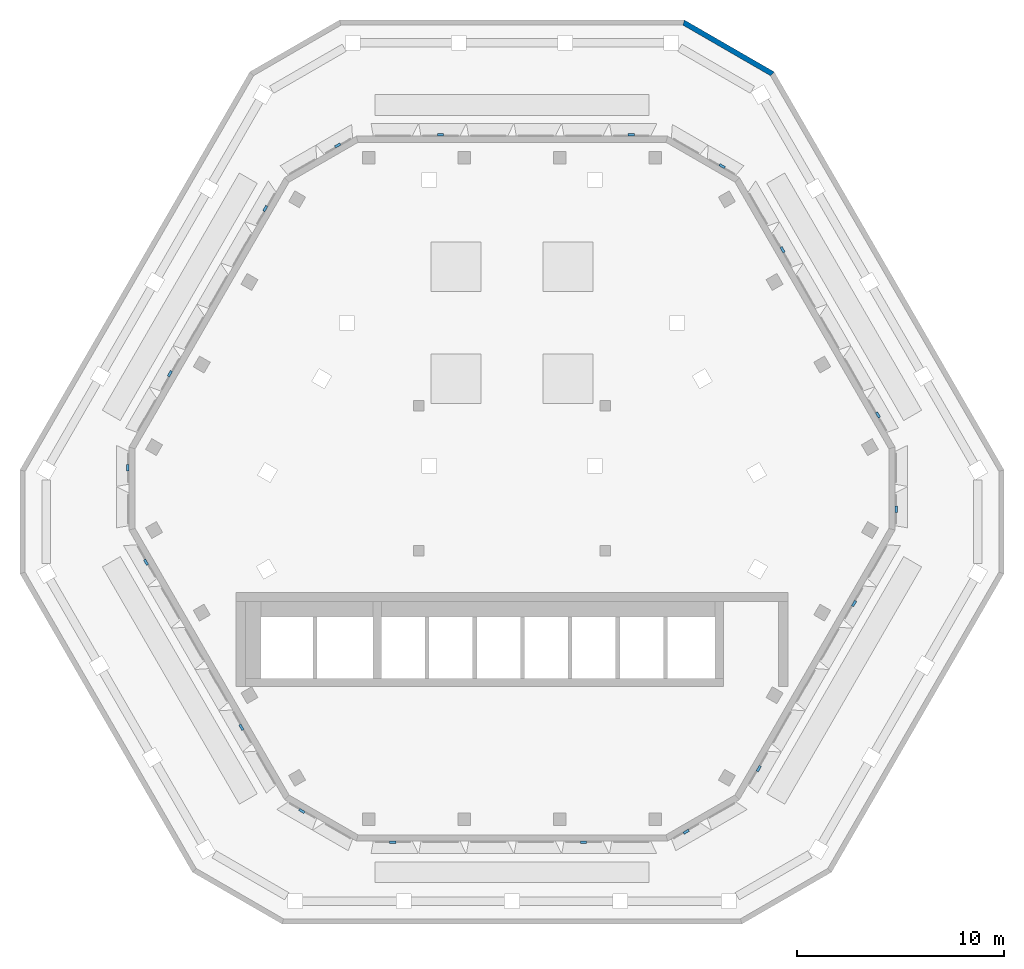
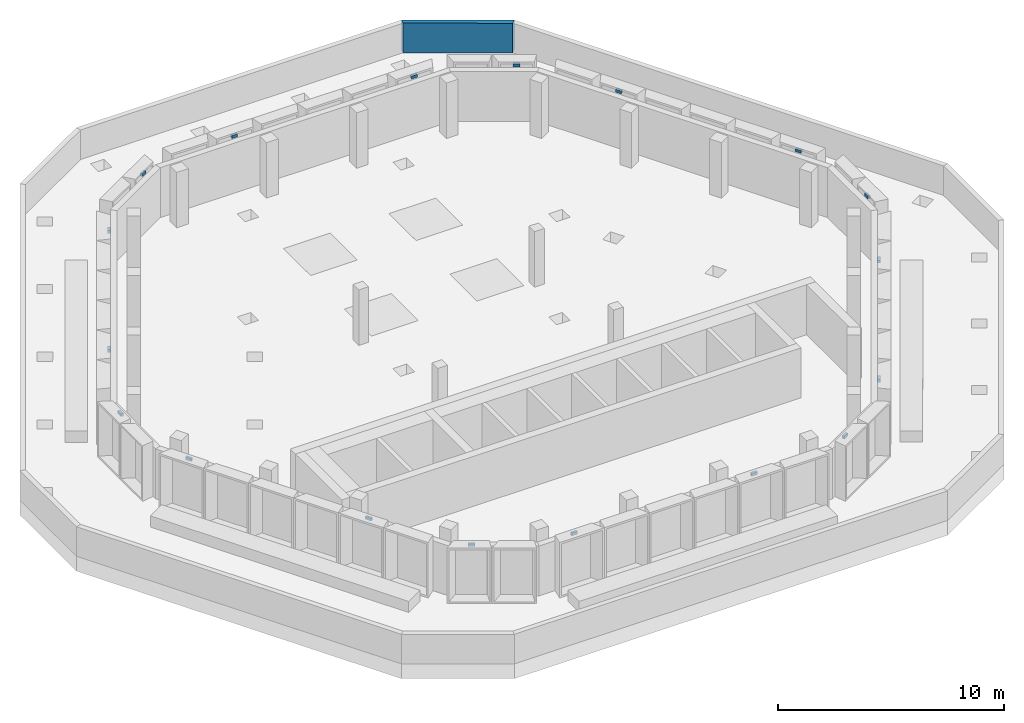
# One storey, part 3 of 5: 18 discrete accessories, 1 wall.
"""IFC4 building model written with IfcOpenShell, lengths in metres."""

from ifc_helpers import new_model, si_unit, direction, frame, origin, place, context, subcontext, project, spatial, polyline, outline, extrude, source, transform, mapped, material, layer, layer_set, type_object, type_shapes, element, save


model = new_model("IFC4")

# Units and contexts
model_context = context("Model", 3, precision=1e-05, world=origin(), true_north=direction((0.0, 1.0)))
body_context = subcontext(model_context, "Body", "Model", "MODEL_VIEW")
ifc_project = project(units=[si_unit("LENGTHUNIT", "METRE"), si_unit("AREAUNIT", "SQUARE_METRE"), si_unit("VOLUMEUNIT", "CUBIC_METRE"), si_unit("PLANEANGLEUNIT", "RADIAN"), si_unit("MASSUNIT", "GRAM", prefix="KILO")], contexts=[model_context])

# Site, building, storey
site_placement = place(None, origin())
site = spatial("IfcSite", under=ifc_project, at=site_placement, CompositionType="ELEMENT")
building_placement = place(site_placement, origin())
building = spatial("IfcBuilding", under=site, at=building_placement, Name="Beryl Residences", CompositionType="ELEMENT")
storey_placement = place(building_placement, frame((0.0, 0.0, 244.800048828125)))
storey = spatial("IfcBuildingStorey", under=building, at=storey_placement, Name="L76", CompositionType="ELEMENT", Elevation=244.800048828125)

# Wall
ifc_material_1 = material(Name="Precast concrete C40/50", Category="concrete")
ifc_layer = layer(ifc_material_1, 0.25)
ifc_layer_set = layer_set([ifc_layer], Name="PA1 roof parapet 250 mm")
wall_type = type_object("IfcWallType", Name="PA1 roof parapet 250 mm", PredefinedType="PARAPET", material=ifc_layer_set)
wall_placement = place(storey_placement, frame((8.251953125, 22.491943359375, 0.0), z_axis=(0.0, 0.0, 1.0), x_axis=(0.865889515344, -0.500235291855, 0.0)))
element("IfcWall", 1, at=wall_placement, inside=storey, type_object=wall_type, Name="PA1 parapet L76 strip 1", PredefinedType="PARAPET", context=body_context, shape_type="SweptSolid", body=[
    extrude(outline(polyline([(0.06689453125, -0.125), (4.9326171875, -0.125), (4.99951171875, 0.125), (0.0, 0.125), (0.06689453125, -0.125)])), origin(), (0.0, 0.0, 1.0), 1.599853515625),
])

# Discrete accessories
ifc_material_2 = material(Name="Steel S355", Category="steel")
discrete_accessory_type = type_object("IfcDiscreteAccessoryType", Name="BR1 frame bracket 300 x 120 x 150 mm", PredefinedType="BRACKET", material=ifc_material_2)
shared_shape = source(origin(), body_context, "Body", "SweptSolid", [
    extrude(outline(polyline([(-0.14990234375, 0.0), (0.14990234375, 0.0), (0.14990234375, 0.1201171875), (-0.14990234375, 0.1201171875), (-0.14990234375, 0.0)])), origin(), (0.0, 0.0, 1.0), 0.14990234375),
])
type_shapes(discrete_accessory_type, [shared_shape])
for number, where, z_axis, x_axis, name in (
    (2, (5.75, 17.0, 2.75), (0.0, 0.0, 1.0), (1.0, 0.0, 0.0), "BR1 bracket L76 N 1"),
    (3, (-3.449951171875, 17.0, 2.75), (0.0, 0.0, 1.0), (1.0, 0.0, 0.0), "BR1 bracket L76 N 5"),
    (4, (-8.3720703125, 16.5, 2.75), (0.0, 0.0, 1.0), (0.866025403784, 0.5, 0.0), "BR1 bracket L76 N-NW 1"),
    (5, (-11.847900390625, 13.47900390625, 2.75), (0.0, 0.0, 1.0), (0.5, 0.866025403784, 0.0), "BR1 bracket L76 NW 1"),
    (6, (-16.447021484375, 5.512939453125, 2.75), (0.0, 0.0, 1.0), (0.5, 0.866025403784, 0.0), "BR1 bracket L76 NW 5"),
    (7, (-18.47509765625, 1.0, 2.75), (0.0, 0.0, 1.0), (0.0, 1.0, 0.0), "BR1 bracket L76 NW-SW 1"),
    (8, (-17.597900390625, -3.52099609375, 2.75), (0.0, 0.0, 1.0), (-0.5, 0.866025403784, 0.0), "BR1 bracket L76 SW 1"),
    (9, (-12.9990234375, -11.487060546875, 2.75), (0.0, 0.0, 1.0), (-0.5, 0.866025403784, 0.0), "BR1 bracket L76 SW 5"),
    (10, (-10.10400390625, -15.5, 2.75), (0.0, 0.0, 1.0), (-0.866025403784, 0.5, 0.0), "BR1 bracket L76 SW-S 1"),
    (11, (-5.75, -17.0, 2.75), (0.0, 0.0, 1.0), (-1.0, 0.0, 0.0), "BR1 bracket L76 S 1"),
    (12, (3.449951171875, -17.0, 2.75), (0.0, 0.0, 1.0), (-1.0, 0.0, 0.0), "BR1 bracket L76 S 5"),
    (13, (8.3720703125, -16.5, 2.75), (0.0, 0.0, 1.0), (-0.866025403784, -0.5, 0.0), "BR1 bracket L76 S-SE 1"),
    (14, (11.847900390625, -13.47900390625, 2.75), (0.0, 0.0, 1.0), (-0.5, -0.866025403784, 0.0), "BR1 bracket L76 SE 1"),
    (15, (16.447021484375, -5.512939453125, 2.75), (0.0, 0.0, 1.0), (-0.5, -0.866025403784, 0.0), "BR1 bracket L76 SE 5"),
    (16, (18.47509765625, -1.0, 2.75), (0.0, 0.0, 1.0), (0.0, -1.0, 0.0), "BR1 bracket L76 SE-NE 1"),
    (17, (17.597900390625, 3.52099609375, 2.75), (0.0, 0.0, 1.0), (0.5, -0.866025403784, 0.0), "BR1 bracket L76 NE 1"),
    (18, (12.9990234375, 11.487060546875, 2.75), (0.0, 0.0, 1.0), (0.5, -0.866025403784, 0.0), "BR1 bracket L76 NE 5"),
    (19, (10.10400390625, 15.5, 2.75), (0.0, 0.0, 1.0), (0.866025403784, -0.5, 0.0), "BR1 bracket L76 NE-N 1"),
):
    element("IfcDiscreteAccessory", number, at=place(storey_placement, frame(where, z_axis=z_axis, x_axis=x_axis)), inside=storey, type_object=discrete_accessory_type, Name=name, PredefinedType="BRACKET", context=body_context, shape_type="MappedRepresentation", body=[
        mapped(shared_shape, transform((0.0, 0.0, 0.0))),
    ])

save(model, "model.ifc")
